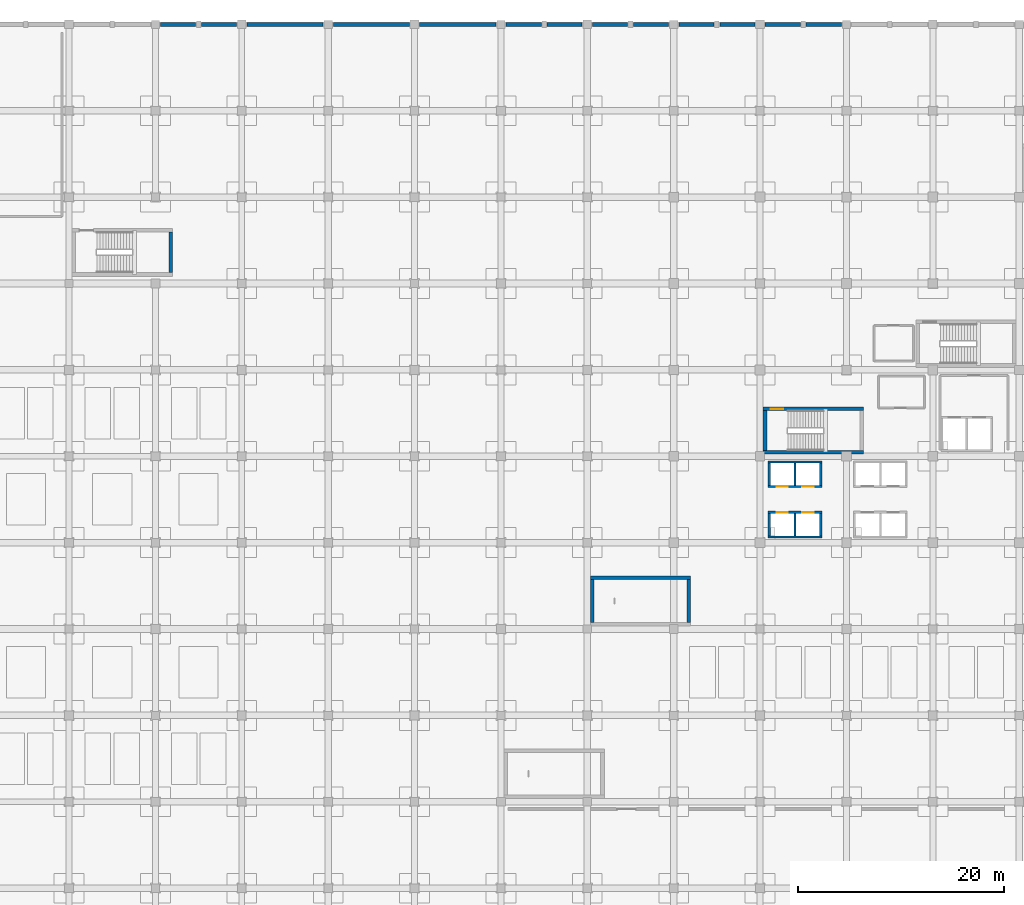
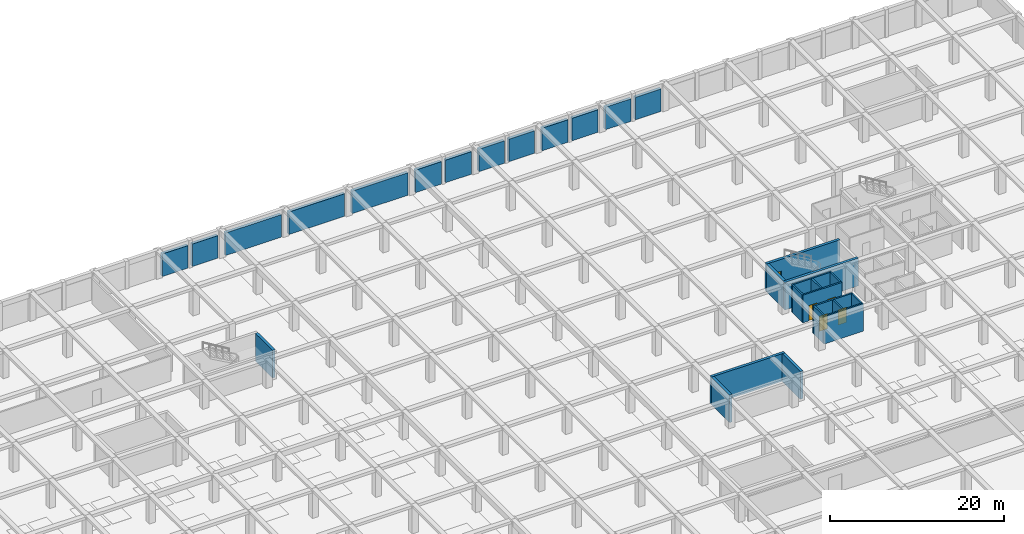
# One storey, part 18 of 32: 30 walls, 5 doors, 5 openings.
"""IFC4 building model written with IfcOpenShell, lengths in metres."""

from ifc_helpers import new_model, si_unit, direction, frame, frame_2d, origin, place, context, subcontext, project, spatial, rectangle, extrude, material, layer, layer_set, type_object, element, fill, save


model = new_model("IFC4")

# Units and contexts
model_context = context("Model", 3, precision=1e-05, world=origin(), true_north=direction((0.0, 1.0)))
body_context = subcontext(model_context, "Body", "Model", "MODEL_VIEW")
ifc_project = project(units=[si_unit("LENGTHUNIT", "METRE"), si_unit("AREAUNIT", "SQUARE_METRE"), si_unit("VOLUMEUNIT", "CUBIC_METRE"), si_unit("PLANEANGLEUNIT", "RADIAN"), si_unit("MASSUNIT", "GRAM", prefix="KILO")], contexts=[model_context])

# Site, building, storey
site_placement = place(None, origin())
site = spatial("IfcSite", under=ifc_project, at=site_placement, CompositionType="ELEMENT")
building_placement = place(site_placement, origin())
building = spatial("IfcBuilding", under=site, at=building_placement, Name="Almacenes y Pasaje Nevantli", CompositionType="ELEMENT")
storey_placement = place(building_placement, frame((0.0, 0.0, -4.199951171875)))
storey = spatial("IfcBuildingStorey", under=building, at=storey_placement, Name="B01", CompositionType="ELEMENT", Elevation=-4.199951171875)

# Wall
ifc_material_1 = material(Name="Concrete C45/55", Category="concrete")
ifc_layer_1 = layer(ifc_material_1, 0.35009765625)
ifc_layer_set_1 = layer_set([ifc_layer_1], Name="Concrete C45/55")
wall_type_1 = type_object("IfcWallType", Name="WL-CORE-350", PredefinedType="SHEAR", material=ifc_layer_set_1)
wall_1_placement = place(storey_placement, frame((117.89990234375, 75.97509765625, 0.0), z_axis=(0.0, 0.0, 1.0), x_axis=(1.0, 0.0, 0.0)))
element("IfcWall", 1, at=wall_1_placement, inside=storey, type_object=wall_type_1, Name="B01 Exit Stair ST-01 South Core Shear Wall", PredefinedType="SHEAR", context=body_context, shape_type="SweptSolid", body=[
    extrude(rectangle(XDim=9.75, YDim=0.35009765625, at=frame_2d((4.875, 0.0))), origin(), (0.0, 0.0, 1.0), 3.8798828125),
])

# Wall, opening, door
wall_2_placement = place(storey_placement, frame((117.89990234375, 80.215087890625, 0.0), z_axis=(0.0, 0.0, 1.0), x_axis=(1.0, 0.0, 0.0)))
wall_2 = element("IfcWall", 2, at=wall_2_placement, inside=storey, type_object=wall_type_1, Name="B01 Exit Stair ST-01 North Core Shear Wall", PredefinedType="SHEAR", context=body_context, shape_type="SweptSolid", body=[
    extrude(rectangle(XDim=9.75, YDim=0.35009765625, at=frame_2d((4.875, 0.0))), origin(), (0.0, 0.0, 1.0), 3.8798828125),
])
opening_1_placement = place(wall_2_placement, frame((0.719970703125, 0.0, 0.0)))
opening_1 = element("IfcOpeningElement", 3, at=opening_1_placement, cuts=wall_2, Name="Opening SD-01-B01", PredefinedType="OPENING", context=body_context, shape_type="SweptSolid", body=[
    extrude(rectangle(XDim=1.25, YDim=2.199951171875, at=frame_2d((0.625, 1.10009765625))), frame((0.0, 0.18505859375, 0.0), z_axis=(0.0, -1.0, 0.0), x_axis=(1.0, 0.0, 0.0)), (0.0, 0.0, 1.0), 0.3701171875),
])
ifc_material_2 = material(Name="Galvanized Fire-Rated Steel", Category="steel")
door_type_1 = type_object("IfcDoorType", Name="DR-STAIR-1250", OperationType="SINGLE_SWING_LEFT", PredefinedType="DOOR", material=ifc_material_2)
door_1_placement = place(opening_1_placement, origin())
door_1 = element("IfcDoor", 4, at=door_1_placement, inside=storey, type_object=door_type_1, Name="B01 Smokeproof Exit Stair ST-01 Fire Door", OperationType="SINGLE_SWING_LEFT", OverallHeight=2.199951171875, OverallWidth=1.25, PredefinedType="DOOR", context=body_context, shape_type="SweptSolid", body=[
    extrude(rectangle(XDim=1.25, YDim=2.199951171875, at=frame_2d((0.625, 1.10009765625))), frame((0.0, 0.02490234375, 0.0), z_axis=(0.0, -1.0, 0.0), x_axis=(1.0, 0.0, 0.0)), (0.0, 0.0, 1.0), 0.050048828125),
])
fill(opening_1, door_1)

# Walls
wall_3_placement = place(storey_placement, frame((118.074951171875, 76.14990234375, 0.0), z_axis=(0.0, 0.0, 1.0), x_axis=(0.0, 1.0, 0.0)))
element("IfcWall", 5, at=wall_3_placement, inside=storey, type_object=wall_type_1, Name="B01 Exit Stair ST-01 West Core Shear Wall", PredefinedType="SHEAR", context=body_context, shape_type="SweptSolid", body=[
    extrude(rectangle(XDim=3.89013671875, YDim=0.35009765625, at=frame_2d((1.945068359375, 0.0))), origin(), (0.0, 0.0, 1.0), 3.8798828125),
])
wall_4_placement = place(storey_placement, frame((60.27490234375, 93.449951171875, 0.0), z_axis=(0.0, 0.0, 1.0), x_axis=(0.0, 1.0, 0.0)))
element("IfcWall", 6, at=wall_4_placement, inside=storey, type_object=wall_type_1, Name="B01 Exit Stair ST-05 East Core Shear Wall", PredefinedType="SHEAR", context=body_context, shape_type="SweptSolid", body=[
    extrude(rectangle(XDim=3.949951171875, YDim=0.35009765625, at=frame_2d((1.97509765625, 0.0))), origin(), (0.0, 0.0, 1.0), 3.8798828125),
])
wall_5_placement = place(storey_placement, frame((101.10009765625, 63.77490234375, 0.0), z_axis=(0.0, 0.0, 1.0), x_axis=(1.0, 0.0, 0.0)))
element("IfcWall", 7, at=wall_5_placement, inside=storey, type_object=wall_type_1, Name="B01 Exit Stair ST-13 North Core Shear Wall", PredefinedType="SHEAR", context=body_context, shape_type="SweptSolid", body=[
    extrude(rectangle(XDim=9.75, YDim=0.35009765625, at=frame_2d((4.875, 0.0))), origin(), (0.0, 0.0, 1.0), 3.8798828125),
])
for number, where, z_axis, x_axis, name in (
    (8, (101.27490234375, 59.449951171875, 0.0), (0.0, 0.0, 1.0), (0.0, 1.0, 0.0), "B01 Exit Stair ST-13 West Core Shear Wall"),
    (9, (110.675048828125, 59.449951171875, 0.0), (0.0, 0.0, 1.0), (0.0, 1.0, 0.0), "B01 Exit Stair ST-13 East Core Shear Wall"),
):
    element("IfcWall", number, at=place(storey_placement, frame(where, z_axis=z_axis, x_axis=x_axis)), inside=storey, type_object=wall_type_1, Name=name, PredefinedType="SHEAR", context=body_context, shape_type="SweptSolid", body=[
        extrude(rectangle(XDim=4.150146484375, YDim=0.35009765625, at=frame_2d((2.0751953125, 0.0))), origin(), (0.0, 0.0, 1.0), 3.8798828125),
    ])
ifc_material_3 = material(Name="Concrete C45/55", Category="concrete")
ifc_layer_2 = layer(ifc_material_3, 0.2099609375)
ifc_layer_set_2 = layer_set([ifc_layer_2], Name="Concrete C45/55")
wall_type_2 = type_object("IfcWallType", Name="WL-SHAFT-210", PredefinedType="SHEAR", material=ifc_layer_set_2)
wall_6_placement = place(storey_placement, frame((118.389892578125, 67.7451171875, 0.0), z_axis=(0.0, 0.0, 1.0), x_axis=(1.0, 0.0, 0.0)))
element("IfcWall", 10, at=wall_6_placement, inside=storey, type_object=wall_type_2, Name="B01 Lift Hoistway ELV-P05-ELV-P06 South Wall", PredefinedType="SHEAR", context=body_context, shape_type="SweptSolid", body=[
    extrude(rectangle(XDim=5.22021484375, YDim=0.2099609375, at=frame_2d((2.610107421875, 0.0))), origin(), (0.0, 0.0, 1.0), 3.8798828125),
])

# Wall, openings, doors
wall_7_placement = place(storey_placement, frame((118.389892578125, 70.155029296875, 0.0), z_axis=(0.0, 0.0, 1.0), x_axis=(1.0, 0.0, 0.0)))
wall_7 = element("IfcWall", 11, at=wall_7_placement, inside=storey, type_object=wall_type_2, Name="B01 Lift Hoistway ELV-P05-ELV-P06 North Wall", PredefinedType="SHEAR", context=body_context, shape_type="SweptSolid", body=[
    extrude(rectangle(XDim=5.22021484375, YDim=0.2099609375, at=frame_2d((2.610107421875, 0.0))), origin(), (0.0, 0.0, 1.0), 3.8798828125),
])
opening_2_placement = place(wall_7_placement, frame((0.81005859375, 0.0, 0.0)))
opening_2 = element("IfcOpeningElement", 12, at=opening_2_placement, cuts=wall_7, Name="Opening LD-P05-B01", PredefinedType="OPENING", context=body_context, shape_type="SweptSolid", body=[
    extrude(rectangle(XDim=1.10009765625, YDim=2.14990234375, at=frame_2d((0.550048828125, 1.074951171875))), frame((0.0, 0.114990234375, 0.0), z_axis=(0.0, -1.0, 0.0), x_axis=(1.0, 0.0, 0.0)), (0.0, 0.0, 1.0), 0.22998046875),
])
opening_3_placement = place(wall_7_placement, frame((3.31005859375, 0.0, 0.0)))
opening_3 = element("IfcOpeningElement", 13, at=opening_3_placement, cuts=wall_7, Name="Opening LD-P06-B01", PredefinedType="OPENING", context=body_context, shape_type="SweptSolid", body=[
    extrude(rectangle(XDim=1.10009765625, YDim=2.14990234375, at=frame_2d((0.550048828125, 1.074951171875))), frame((0.0, 0.114990234375, 0.0), z_axis=(0.0, -1.0, 0.0), x_axis=(1.0, 0.0, 0.0)), (0.0, 0.0, 1.0), 0.22998046875),
])
ifc_material_4 = material(Name="Brushed Stainless Steel", Category="steel")
door_type_2 = type_object("IfcDoorType", Name="DR-LD-PASS-1100", OperationType="DOUBLE_DOOR_SLIDING", PredefinedType="DOOR", material=ifc_material_4)
door_2_placement = place(opening_2_placement, origin())
door_2 = element("IfcDoor", 14, at=door_2_placement, inside=storey, type_object=door_type_2, Name="Lift Landing Door ELV-P05 B01", OperationType="DOUBLE_DOOR_SLIDING", OverallHeight=2.14990234375, OverallWidth=1.10009765625, PredefinedType="DOOR", context=body_context, shape_type="SweptSolid", body=[
    extrude(rectangle(XDim=1.10009765625, YDim=2.14990234375, at=frame_2d((0.550048828125, 1.074951171875))), frame((0.0, 0.02490234375, 0.0), z_axis=(0.0, -1.0, 0.0), x_axis=(1.0, 0.0, 0.0)), (0.0, 0.0, 1.0), 0.050048828125),
])
fill(opening_2, door_2)
door_3_placement = place(opening_3_placement, origin())
door_3 = element("IfcDoor", 15, at=door_3_placement, inside=storey, type_object=door_type_2, Name="Lift Landing Door ELV-P06 B01", OperationType="DOUBLE_DOOR_SLIDING", OverallHeight=2.14990234375, OverallWidth=1.10009765625, PredefinedType="DOOR", context=body_context, shape_type="SweptSolid", body=[
    extrude(rectangle(XDim=1.10009765625, YDim=2.14990234375, at=frame_2d((0.550048828125, 1.074951171875))), frame((0.0, 0.02490234375, 0.0), z_axis=(0.0, -1.0, 0.0), x_axis=(1.0, 0.0, 0.0)), (0.0, 0.0, 1.0), 0.050048828125),
])
fill(opening_3, door_3)

# Walls
for number, where, z_axis, x_axis, name in (
    (16, (118.4951171875, 67.85009765625, 0.0), (0.0, 0.0, 1.0), (0.0, 1.0, 0.0), "B01 Lift Hoistway ELV-P05 West Wall"),
    (17, (123.5048828125, 67.85009765625, 0.0), (0.0, 0.0, 1.0), (0.0, 1.0, 0.0), "B01 Lift Hoistway ELV-P06 East Wall"),
    (18, (121.0, 67.85009765625, 0.0), (0.0, 0.0, 1.0), (0.0, 1.0, 0.0), "B01 Lift Hoistway Divider Wall ELV-P05/ELV-P06"),
):
    element("IfcWall", number, at=place(storey_placement, frame(where, z_axis=z_axis, x_axis=x_axis)), inside=storey, type_object=wall_type_2, Name=name, PredefinedType="SHEAR", context=body_context, shape_type="SweptSolid", body=[
        extrude(rectangle(XDim=2.199951171875, YDim=0.2099609375, at=frame_2d((1.10009765625, 0.0))), origin(), (0.0, 0.0, 1.0), 3.8798828125),
    ])

# Wall, openings, doors
wall_8_placement = place(storey_placement, frame((118.389892578125, 72.64501953125, 0.0), z_axis=(0.0, 0.0, 1.0), x_axis=(1.0, 0.0, 0.0)))
wall_8 = element("IfcWall", 19, at=wall_8_placement, inside=storey, type_object=wall_type_2, Name="B01 Lift Hoistway ELV-P07-ELV-P08 South Wall", PredefinedType="SHEAR", context=body_context, shape_type="SweptSolid", body=[
    extrude(rectangle(XDim=5.22021484375, YDim=0.2099609375, at=frame_2d((2.610107421875, 0.0))), origin(), (0.0, 0.0, 1.0), 3.8798828125),
])
opening_4_placement = place(wall_8_placement, frame((0.81005859375, 0.0, 0.0)))
opening_4 = element("IfcOpeningElement", 20, at=opening_4_placement, cuts=wall_8, Name="Opening LD-P07-B01", PredefinedType="OPENING", context=body_context, shape_type="SweptSolid", body=[
    extrude(rectangle(XDim=1.10009765625, YDim=2.14990234375, at=frame_2d((0.550048828125, 1.074951171875))), frame((0.0, 0.114990234375, 0.0), z_axis=(0.0, -1.0, 0.0), x_axis=(1.0, 0.0, 0.0)), (0.0, 0.0, 1.0), 0.22998046875),
])
opening_5_placement = place(wall_8_placement, frame((3.31005859375, 0.0, 0.0)))
opening_5 = element("IfcOpeningElement", 21, at=opening_5_placement, cuts=wall_8, Name="Opening LD-P08-B01", PredefinedType="OPENING", context=body_context, shape_type="SweptSolid", body=[
    extrude(rectangle(XDim=1.10009765625, YDim=2.14990234375, at=frame_2d((0.550048828125, 1.074951171875))), frame((0.0, 0.114990234375, 0.0), z_axis=(0.0, -1.0, 0.0), x_axis=(1.0, 0.0, 0.0)), (0.0, 0.0, 1.0), 0.22998046875),
])
door_4_placement = place(opening_4_placement, origin())
door_4 = element("IfcDoor", 22, at=door_4_placement, inside=storey, type_object=door_type_2, Name="Lift Landing Door ELV-P07 B01", OperationType="DOUBLE_DOOR_SLIDING", OverallHeight=2.14990234375, OverallWidth=1.10009765625, PredefinedType="DOOR", context=body_context, shape_type="SweptSolid", body=[
    extrude(rectangle(XDim=1.10009765625, YDim=2.14990234375, at=frame_2d((0.550048828125, 1.074951171875))), frame((0.0, 0.02490234375, 0.0), z_axis=(0.0, -1.0, 0.0), x_axis=(1.0, 0.0, 0.0)), (0.0, 0.0, 1.0), 0.050048828125),
])
fill(opening_4, door_4)
door_5_placement = place(opening_5_placement, origin())
door_5 = element("IfcDoor", 23, at=door_5_placement, inside=storey, type_object=door_type_2, Name="Lift Landing Door ELV-P08 B01", OperationType="DOUBLE_DOOR_SLIDING", OverallHeight=2.14990234375, OverallWidth=1.10009765625, PredefinedType="DOOR", context=body_context, shape_type="SweptSolid", body=[
    extrude(rectangle(XDim=1.10009765625, YDim=2.14990234375, at=frame_2d((0.550048828125, 1.074951171875))), frame((0.0, 0.02490234375, 0.0), z_axis=(0.0, -1.0, 0.0), x_axis=(1.0, 0.0, 0.0)), (0.0, 0.0, 1.0), 0.050048828125),
])
fill(opening_5, door_5)

# Walls
wall_9_placement = place(storey_placement, frame((118.389892578125, 75.054931640625, 0.0), z_axis=(0.0, 0.0, 1.0), x_axis=(1.0, 0.0, 0.0)))
element("IfcWall", 24, at=wall_9_placement, inside=storey, type_object=wall_type_2, Name="B01 Lift Hoistway ELV-P07-ELV-P08 North Wall", PredefinedType="SHEAR", context=body_context, shape_type="SweptSolid", body=[
    extrude(rectangle(XDim=5.22021484375, YDim=0.2099609375, at=frame_2d((2.610107421875, 0.0))), origin(), (0.0, 0.0, 1.0), 3.8798828125),
])
for number, where, z_axis, x_axis, name in (
    (25, (118.4951171875, 72.75, 0.0), (0.0, 0.0, 1.0), (0.0, 1.0, 0.0), "B01 Lift Hoistway ELV-P07 West Wall"),
    (26, (123.5048828125, 72.75, 0.0), (0.0, 0.0, 1.0), (0.0, 1.0, 0.0), "B01 Lift Hoistway ELV-P08 East Wall"),
    (27, (121.0, 72.75, 0.0), (0.0, 0.0, 1.0), (0.0, 1.0, 0.0), "B01 Lift Hoistway Divider Wall ELV-P07/ELV-P08"),
):
    element("IfcWall", number, at=place(storey_placement, frame(where, z_axis=z_axis, x_axis=x_axis)), inside=storey, type_object=wall_type_2, Name=name, PredefinedType="SHEAR", context=body_context, shape_type="SweptSolid", body=[
        extrude(rectangle(XDim=2.199951171875, YDim=0.2099609375, at=frame_2d((1.10009765625, 0.0))), origin(), (0.0, 0.0, 1.0), 3.8798828125),
    ])
ifc_material_5 = material(Name="Concrete C45/55", Category="concrete")
ifc_layer_3 = layer(ifc_material_5, 0.39990234375)
ifc_layer_set_3 = layer_set([ifc_layer_3], Name="Concrete C45/55")
wall_type_3 = type_object("IfcWallType", Name="WL-SHEAR-400", PredefinedType="SHEAR", material=ifc_layer_set_3)
for number, where, z_axis, x_axis, name in (
    (28, (59.300048828125, 117.60009765625, 0.0), (0.0, 0.0, 1.0), (1.0, 0.0, 0.0), "B01 North Basement Retaining Shear Wall #8A"),
    (29, (63.280029296875, 117.60009765625, 0.0), (0.0, 0.0, 1.0), (1.0, 0.0, 0.0), "B01 North Basement Retaining Shear Wall #8B"),
):
    element("IfcWall", number, at=place(storey_placement, frame(where, z_axis=z_axis, x_axis=x_axis)), inside=storey, type_object=wall_type_3, Name=name, PredefinedType="SHEAR", context=body_context, shape_type="SweptSolid", body=[
        extrude(rectangle(XDim=3.419921875, YDim=0.39990234375, at=frame_2d((1.7099609375, 0.0))), origin(), (0.0, 0.0, 1.0), 3.159912109375),
    ])
wall_10_placement = place(storey_placement, frame((67.699951171875, 117.60009765625, 0.0), z_axis=(0.0, 0.0, 1.0), x_axis=(1.0, 0.0, 0.0)))
element("IfcWall", 30, at=wall_10_placement, inside=storey, type_object=wall_type_3, Name="B01 North Basement Retaining Shear Wall #9", PredefinedType="SHEAR", context=body_context, shape_type="SweptSolid", body=[
    extrude(rectangle(XDim=7.400146484375, YDim=0.39990234375, at=frame_2d((3.7001953125, 0.0))), origin(), (0.0, 0.0, 1.0), 3.159912109375),
])
for number, where, z_axis, x_axis, name in (
    (31, (76.10009765625, 117.60009765625, 0.0), (0.0, 0.0, 1.0), (1.0, 0.0, 0.0), "B01 North Basement Retaining Shear Wall #10"),
    (32, (84.5, 117.60009765625, 0.0), (0.0, 0.0, 1.0), (1.0, 0.0, 0.0), "B01 North Basement Retaining Shear Wall #11"),
):
    element("IfcWall", number, at=place(storey_placement, frame(where, z_axis=z_axis, x_axis=x_axis)), inside=storey, type_object=wall_type_3, Name=name, PredefinedType="SHEAR", context=body_context, shape_type="SweptSolid", body=[
        extrude(rectangle(XDim=7.39990234375, YDim=0.39990234375, at=frame_2d((3.699951171875, 0.0))), origin(), (0.0, 0.0, 1.0), 3.159912109375),
    ])
for number, where, z_axis, x_axis, name in (
    (33, (92.89990234375, 117.60009765625, 0.0), (0.0, 0.0, 1.0), (1.0, 0.0, 0.0), "B01 North Basement Retaining Shear Wall #12A"),
    (34, (96.8798828125, 117.60009765625, 0.0), (0.0, 0.0, 1.0), (1.0, 0.0, 0.0), "B01 North Basement Retaining Shear Wall #12B"),
):
    element("IfcWall", number, at=place(storey_placement, frame(where, z_axis=z_axis, x_axis=x_axis)), inside=storey, type_object=wall_type_3, Name=name, PredefinedType="SHEAR", context=body_context, shape_type="SweptSolid", body=[
        extrude(rectangle(XDim=3.420166015625, YDim=0.39990234375, at=frame_2d((1.7099609375, 0.0))), origin(), (0.0, 0.0, 1.0), 3.159912109375),
    ])
for number, where, z_axis, x_axis, name in (
    (35, (101.300048828125, 117.60009765625, 0.0), (0.0, 0.0, 1.0), (1.0, 0.0, 0.0), "B01 North Basement Retaining Shear Wall #13A"),
    (36, (105.280029296875, 117.60009765625, 0.0), (0.0, 0.0, 1.0), (1.0, 0.0, 0.0), "B01 North Basement Retaining Shear Wall #13B"),
):
    element("IfcWall", number, at=place(storey_placement, frame(where, z_axis=z_axis, x_axis=x_axis)), inside=storey, type_object=wall_type_3, Name=name, PredefinedType="SHEAR", context=body_context, shape_type="SweptSolid", body=[
        extrude(rectangle(XDim=3.419921875, YDim=0.39990234375, at=frame_2d((1.7099609375, 0.0))), origin(), (0.0, 0.0, 1.0), 3.159912109375),
    ])
for number, where, z_axis, x_axis, name in (
    (37, (109.699951171875, 117.60009765625, 0.0), (0.0, 0.0, 1.0), (1.0, 0.0, 0.0), "B01 North Basement Retaining Shear Wall #14A"),
    (38, (113.679931640625, 117.60009765625, 0.0), (0.0, 0.0, 1.0), (1.0, 0.0, 0.0), "B01 North Basement Retaining Shear Wall #14B"),
):
    element("IfcWall", number, at=place(storey_placement, frame(where, z_axis=z_axis, x_axis=x_axis)), inside=storey, type_object=wall_type_3, Name=name, PredefinedType="SHEAR", context=body_context, shape_type="SweptSolid", body=[
        extrude(rectangle(XDim=3.420166015625, YDim=0.39990234375, at=frame_2d((1.7099609375, 0.0))), origin(), (0.0, 0.0, 1.0), 3.159912109375),
    ])
for number, where, z_axis, x_axis, name in (
    (39, (118.10009765625, 117.60009765625, 0.0), (0.0, 0.0, 1.0), (1.0, 0.0, 0.0), "B01 North Basement Retaining Shear Wall #15A"),
    (40, (122.080078125, 117.60009765625, 0.0), (0.0, 0.0, 1.0), (1.0, 0.0, 0.0), "B01 North Basement Retaining Shear Wall #15B"),
):
    element("IfcWall", number, at=place(storey_placement, frame(where, z_axis=z_axis, x_axis=x_axis)), inside=storey, type_object=wall_type_3, Name=name, PredefinedType="SHEAR", context=body_context, shape_type="SweptSolid", body=[
        extrude(rectangle(XDim=3.419921875, YDim=0.39990234375, at=frame_2d((1.7099609375, 0.0))), origin(), (0.0, 0.0, 1.0), 3.159912109375),
    ])

save(model, "model.ifc")
